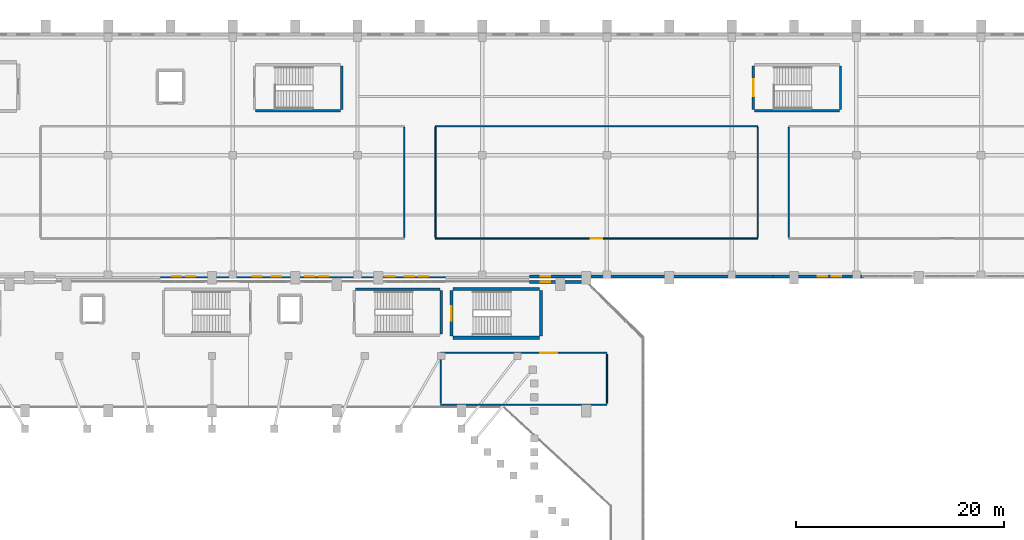
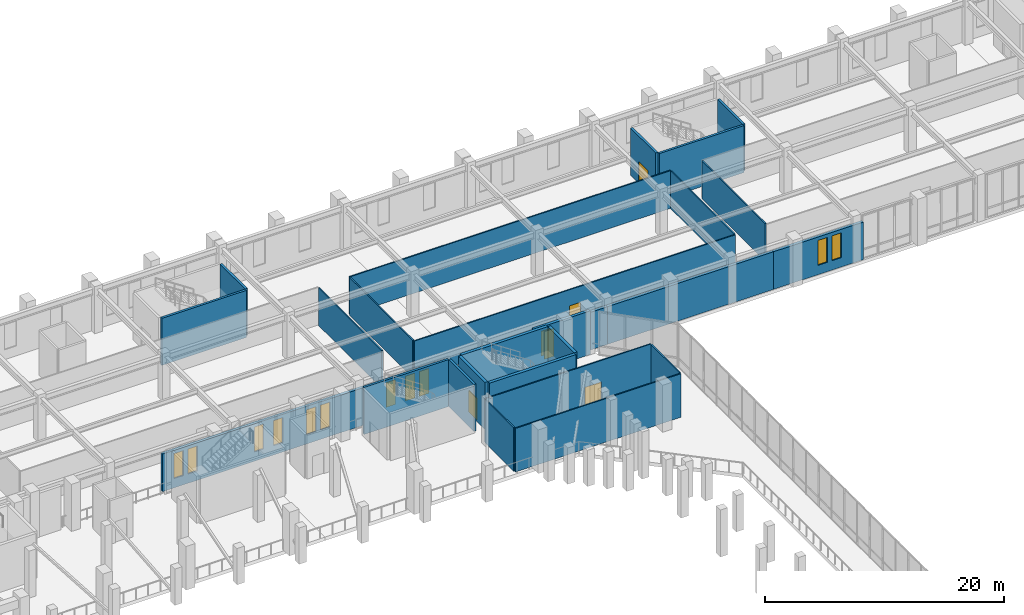
# One storey, part 97 of 126: 26 walls, 13 windows, 4 doors, 17 openings.
"""IFC4 building model written with IfcOpenShell, lengths in metres."""

from ifc_helpers import new_model, si_unit, derived_unit, direction, frame, frame_2d, origin, place, context, subcontext, project, spatial, rectangle, extrude, material, layer, layer_set, type_object, element, fill, save


model = new_model("IFC4")

# Units and contexts
model_context = context("Model", 3, precision=1e-05, world=origin(), true_north=direction((0.0, 1.0)))
body_context = subcontext(model_context, "Body", "Model", "MODEL_VIEW")
ifc_project = project(units=[si_unit("LENGTHUNIT", "METRE"), si_unit("AREAUNIT", "SQUARE_METRE"), si_unit("VOLUMEUNIT", "CUBIC_METRE"), si_unit("PLANEANGLEUNIT", "RADIAN"), si_unit("MASSUNIT", "GRAM", prefix="KILO"), derived_unit("THERMALTRANSMITTANCEUNIT", [(si_unit("MASSUNIT", "GRAM", prefix="KILO"), 1), (si_unit("TIMEUNIT", "SECOND"), -3), (si_unit("THERMODYNAMICTEMPERATUREUNIT", "KELVIN"), -1)])], contexts=[model_context])

# Site, building, storey
site_placement = place(None, origin())
site = spatial("IfcSite", under=ifc_project, at=site_placement, CompositionType="ELEMENT")
building_placement = place(site_placement, origin())
building = spatial("IfcBuilding", under=site, at=building_placement, Name="Valcora Ridge Arena", CompositionType="ELEMENT")
storey_placement = place(building_placement, frame((0.0, 0.0, 11.39990234375)))
storey = spatial("IfcBuildingStorey", under=building, at=storey_placement, Name="L02", CompositionType="ELEMENT", Elevation=11.39990234375)

# Wall, openings, windows
ifc_material_1 = material(Name="Bush-hammered Andean travertine on concrete backup C40/50", Category="masonry")
ifc_layer_1 = layer(ifc_material_1, 0.280029296875, Name="Bush-hammered Andean travertine on concrete backup C40/50")
ifc_layer_set_1 = layer_set([ifc_layer_1], Name="Bush-hammered Andean travertine on concrete backup C40/50")
wall_type_1 = type_object("IfcWallType", Name="TY-WALL-EW-TRV-28-38", PredefinedType="STANDARD", material=ifc_layer_set_1)
wall_1_placement = place(storey_placement, frame((53.050048828125, 108.550048828125, 0.0), z_axis=(0.0, 0.0, 1.0), x_axis=(1.0, 0.0, 0.0)))
wall_1 = element("IfcWall", 1, at=wall_1_placement, inside=storey, type_object=wall_type_1, Name="EW-TRV-28-38 WAL-EW-0188", PredefinedType="STANDARD", context=body_context, shape_type="SweptSolid", body=[
    extrude(rectangle(XDim=27.39990234375, YDim=0.280029296875, at=frame_2d((13.699951171875, 0.0))), origin(), (0.0, 0.0, 1.0), 3.838134765625),
])
opening_1_placement = place(wall_1_placement, frame((1.10009765625, 0.0, 0.949951171875)))
opening_1 = element("IfcOpeningElement", 2, at=opening_1_placement, cuts=wall_1, Name="Opening W-GLAN-90X254", PredefinedType="OPENING", context=body_context, shape_type="SweptSolid", body=[
    extrude(rectangle(XDim=0.89990234375, YDim=2.5400390625, at=frame_2d((0.449951171875, 1.27001953125))), frame((0.0, 0.14990234375, 0.0), z_axis=(0.0, -1.0, 0.0), x_axis=(1.0, 0.0, 0.0)), (0.0, 0.0, 1.0), 0.300048828125),
])
opening_2_placement = place(wall_1_placement, frame((2.449951171875, 0.0, 0.949951171875)))
opening_2 = element("IfcOpeningElement", 3, at=opening_2_placement, cuts=wall_1, Name="Opening W-GLAN-90X254", PredefinedType="OPENING", context=body_context, shape_type="SweptSolid", body=[
    extrude(rectangle(XDim=0.89990234375, YDim=2.5400390625, at=frame_2d((0.449951171875, 1.27001953125))), frame((0.0, 0.14990234375, 0.0), z_axis=(0.0, -1.0, 0.0), x_axis=(1.0, 0.0, 0.0)), (0.0, 0.0, 1.0), 0.300048828125),
])
opening_3_placement = place(wall_1_placement, frame((8.85009765625, 0.0, 0.949951171875)))
opening_3 = element("IfcOpeningElement", 4, at=opening_3_placement, cuts=wall_1, Name="Opening W-GLAN-90X254", PredefinedType="OPENING", context=body_context, shape_type="SweptSolid", body=[
    extrude(rectangle(XDim=0.89990234375, YDim=2.5400390625, at=frame_2d((0.449951171875, 1.27001953125))), frame((0.0, 0.14990234375, 0.0), z_axis=(0.0, -1.0, 0.0), x_axis=(1.0, 0.0, 0.0)), (0.0, 0.0, 1.0), 0.300048828125),
])
opening_4_placement = place(wall_1_placement, frame((10.699951171875, 0.0, 0.949951171875)))
opening_4 = element("IfcOpeningElement", 5, at=opening_4_placement, cuts=wall_1, Name="Opening W-GLAN-90X254", PredefinedType="OPENING", context=body_context, shape_type="SweptSolid", body=[
    extrude(rectangle(XDim=0.89990234375, YDim=2.5400390625, at=frame_2d((0.449951171875, 1.27001953125))), frame((0.0, 0.14990234375, 0.0), z_axis=(0.0, -1.0, 0.0), x_axis=(1.0, 0.0, 0.0)), (0.0, 0.0, 1.0), 0.300048828125),
])
opening_5_placement = place(wall_1_placement, frame((13.89990234375, 0.0, 0.949951171875)))
opening_5 = element("IfcOpeningElement", 6, at=opening_5_placement, cuts=wall_1, Name="Opening W-GLAN-90X254", PredefinedType="OPENING", context=body_context, shape_type="SweptSolid", body=[
    extrude(rectangle(XDim=0.89990234375, YDim=2.5400390625, at=frame_2d((0.449951171875, 1.27001953125))), frame((0.0, 0.14990234375, 0.0), z_axis=(0.0, -1.0, 0.0), x_axis=(1.0, 0.0, 0.0)), (0.0, 0.0, 1.0), 0.300048828125),
])
opening_6_placement = place(wall_1_placement, frame((15.25, 0.0, 0.949951171875)))
opening_6 = element("IfcOpeningElement", 7, at=opening_6_placement, cuts=wall_1, Name="Opening W-GLAN-90X254", PredefinedType="OPENING", context=body_context, shape_type="SweptSolid", body=[
    extrude(rectangle(XDim=0.89990234375, YDim=2.5400390625, at=frame_2d((0.449951171875, 1.27001953125))), frame((0.0, 0.14990234375, 0.0), z_axis=(0.0, -1.0, 0.0), x_axis=(1.0, 0.0, 0.0)), (0.0, 0.0, 1.0), 0.300048828125),
])
opening_7_placement = place(wall_1_placement, frame((21.64990234375, 0.0, 0.949951171875)))
opening_7 = element("IfcOpeningElement", 8, at=opening_7_placement, cuts=wall_1, Name="Opening W-GLAN-90X254", PredefinedType="OPENING", context=body_context, shape_type="SweptSolid", body=[
    extrude(rectangle(XDim=0.89990234375, YDim=2.5400390625, at=frame_2d((0.449951171875, 1.27001953125))), frame((0.0, 0.14990234375, 0.0), z_axis=(0.0, -1.0, 0.0), x_axis=(1.0, 0.0, 0.0)), (0.0, 0.0, 1.0), 0.300048828125),
])
opening_8_placement = place(wall_1_placement, frame((23.5, 0.0, 0.949951171875)))
opening_8 = element("IfcOpeningElement", 9, at=opening_8_placement, cuts=wall_1, Name="Opening W-GLAN-90X254", PredefinedType="OPENING", context=body_context, shape_type="SweptSolid", body=[
    extrude(rectangle(XDim=0.89990234375, YDim=2.5400390625, at=frame_2d((0.449951171875, 1.27001953125))), frame((0.0, 0.14990234375, 0.0), z_axis=(0.0, -1.0, 0.0), x_axis=(1.0, 0.0, 0.0)), (0.0, 0.0, 1.0), 0.300048828125),
])
opening_9_placement = place(wall_1_placement, frame((24.85009765625, 0.0, 0.949951171875)))
opening_9 = element("IfcOpeningElement", 10, at=opening_9_placement, cuts=wall_1, Name="Opening W-GLAN-90X254", PredefinedType="OPENING", context=body_context, shape_type="SweptSolid", body=[
    extrude(rectangle(XDim=0.89990234375, YDim=2.5400390625, at=frame_2d((0.449951171875, 1.27001953125))), frame((0.0, 0.14990234375, 0.0), z_axis=(0.0, -1.0, 0.0), x_axis=(1.0, 0.0, 0.0)), (0.0, 0.0, 1.0), 0.300048828125),
])
ifc_material_2 = material(Name="Low-iron solar-control double glazing SHGC 0.28", Category="glass")
window_type_1 = type_object("IfcWindowType", Name="TY-WINDOW-W-GLAN-90X254", PartitioningType="DOUBLE_PANEL_VERTICAL", PredefinedType="WINDOW", material=ifc_material_2)
window_1_placement = place(opening_1_placement, origin())
window_1 = element("IfcWindow", 11, at=window_1_placement, inside=storey, type_object=window_type_1, Name="W-GLAN-90X254 WIN-EX-0566", OverallHeight=2.5400390625, OverallWidth=0.89990234375, PartitioningType="DOUBLE_PANEL_VERTICAL", PredefinedType="WINDOW", context=body_context, shape_type="SweptSolid", body=[
    extrude(rectangle(XDim=0.89990234375, YDim=2.5400390625, at=frame_2d((0.449951171875, 1.27001953125))), frame((0.0, 0.030029296875, 0.0), z_axis=(0.0, -1.0, 0.0), x_axis=(1.0, 0.0, 0.0)), (0.0, 0.0, 1.0), 0.06005859375),
])
fill(opening_1, window_1)
window_2_placement = place(opening_2_placement, origin())
window_2 = element("IfcWindow", 12, at=window_2_placement, inside=storey, type_object=window_type_1, Name="W-GLAN-90X254 WIN-EX-0567", OverallHeight=2.5400390625, OverallWidth=0.89990234375, PartitioningType="DOUBLE_PANEL_VERTICAL", PredefinedType="WINDOW", context=body_context, shape_type="SweptSolid", body=[
    extrude(rectangle(XDim=0.89990234375, YDim=2.5400390625, at=frame_2d((0.449951171875, 1.27001953125))), frame((0.0, 0.030029296875, 0.0), z_axis=(0.0, -1.0, 0.0), x_axis=(1.0, 0.0, 0.0)), (0.0, 0.0, 1.0), 0.06005859375),
])
fill(opening_2, window_2)
window_3_placement = place(opening_3_placement, origin())
window_3 = element("IfcWindow", 13, at=window_3_placement, inside=storey, type_object=window_type_1, Name="W-GLAN-90X254 WIN-EX-0568", OverallHeight=2.5400390625, OverallWidth=0.89990234375, PartitioningType="DOUBLE_PANEL_VERTICAL", PredefinedType="WINDOW", context=body_context, shape_type="SweptSolid", body=[
    extrude(rectangle(XDim=0.89990234375, YDim=2.5400390625, at=frame_2d((0.449951171875, 1.27001953125))), frame((0.0, 0.030029296875, 0.0), z_axis=(0.0, -1.0, 0.0), x_axis=(1.0, 0.0, 0.0)), (0.0, 0.0, 1.0), 0.06005859375),
])
fill(opening_3, window_3)
window_4_placement = place(opening_4_placement, origin())
window_4 = element("IfcWindow", 14, at=window_4_placement, inside=storey, type_object=window_type_1, Name="W-GLAN-90X254 WIN-EX-0569", OverallHeight=2.5400390625, OverallWidth=0.89990234375, PartitioningType="DOUBLE_PANEL_VERTICAL", PredefinedType="WINDOW", context=body_context, shape_type="SweptSolid", body=[
    extrude(rectangle(XDim=0.89990234375, YDim=2.5400390625, at=frame_2d((0.449951171875, 1.27001953125))), frame((0.0, 0.030029296875, 0.0), z_axis=(0.0, -1.0, 0.0), x_axis=(1.0, 0.0, 0.0)), (0.0, 0.0, 1.0), 0.06005859375),
])
fill(opening_4, window_4)
window_5_placement = place(opening_5_placement, origin())
window_5 = element("IfcWindow", 15, at=window_5_placement, inside=storey, type_object=window_type_1, Name="W-GLAN-90X254 WIN-EX-0570", OverallHeight=2.5400390625, OverallWidth=0.89990234375, PartitioningType="DOUBLE_PANEL_VERTICAL", PredefinedType="WINDOW", context=body_context, shape_type="SweptSolid", body=[
    extrude(rectangle(XDim=0.89990234375, YDim=2.5400390625, at=frame_2d((0.449951171875, 1.27001953125))), frame((0.0, 0.030029296875, 0.0), z_axis=(0.0, -1.0, 0.0), x_axis=(1.0, 0.0, 0.0)), (0.0, 0.0, 1.0), 0.06005859375),
])
fill(opening_5, window_5)
window_6_placement = place(opening_6_placement, origin())
window_6 = element("IfcWindow", 16, at=window_6_placement, inside=storey, type_object=window_type_1, Name="W-GLAN-90X254 WIN-EX-0571", OverallHeight=2.5400390625, OverallWidth=0.89990234375, PartitioningType="DOUBLE_PANEL_VERTICAL", PredefinedType="WINDOW", context=body_context, shape_type="SweptSolid", body=[
    extrude(rectangle(XDim=0.89990234375, YDim=2.5400390625, at=frame_2d((0.449951171875, 1.27001953125))), frame((0.0, 0.030029296875, 0.0), z_axis=(0.0, -1.0, 0.0), x_axis=(1.0, 0.0, 0.0)), (0.0, 0.0, 1.0), 0.06005859375),
])
fill(opening_6, window_6)
window_7_placement = place(opening_7_placement, origin())
window_7 = element("IfcWindow", 17, at=window_7_placement, inside=storey, type_object=window_type_1, Name="W-GLAN-90X254 WIN-EX-0572", OverallHeight=2.5400390625, OverallWidth=0.89990234375, PartitioningType="DOUBLE_PANEL_VERTICAL", PredefinedType="WINDOW", context=body_context, shape_type="SweptSolid", body=[
    extrude(rectangle(XDim=0.89990234375, YDim=2.5400390625, at=frame_2d((0.449951171875, 1.27001953125))), frame((0.0, 0.030029296875, 0.0), z_axis=(0.0, -1.0, 0.0), x_axis=(1.0, 0.0, 0.0)), (0.0, 0.0, 1.0), 0.06005859375),
])
fill(opening_7, window_7)
window_8_placement = place(opening_8_placement, origin())
window_8 = element("IfcWindow", 18, at=window_8_placement, inside=storey, type_object=window_type_1, Name="W-GLAN-90X254 WIN-EX-0573", OverallHeight=2.5400390625, OverallWidth=0.89990234375, PartitioningType="DOUBLE_PANEL_VERTICAL", PredefinedType="WINDOW", context=body_context, shape_type="SweptSolid", body=[
    extrude(rectangle(XDim=0.89990234375, YDim=2.5400390625, at=frame_2d((0.449951171875, 1.27001953125))), frame((0.0, 0.030029296875, 0.0), z_axis=(0.0, -1.0, 0.0), x_axis=(1.0, 0.0, 0.0)), (0.0, 0.0, 1.0), 0.06005859375),
])
fill(opening_8, window_8)
window_9_placement = place(opening_9_placement, origin())
window_9 = element("IfcWindow", 19, at=window_9_placement, inside=storey, type_object=window_type_1, Name="W-GLAN-90X254 WIN-EX-0574", OverallHeight=2.5400390625, OverallWidth=0.89990234375, PartitioningType="DOUBLE_PANEL_VERTICAL", PredefinedType="WINDOW", context=body_context, shape_type="SweptSolid", body=[
    extrude(rectangle(XDim=0.89990234375, YDim=2.5400390625, at=frame_2d((0.449951171875, 1.27001953125))), frame((0.0, 0.030029296875, 0.0), z_axis=(0.0, -1.0, 0.0), x_axis=(1.0, 0.0, 0.0)), (0.0, 0.0, 1.0), 0.06005859375),
])
fill(opening_9, window_9)

# Wall, opening, window
wall_2_placement = place(storey_placement, frame((88.550048828125, 108.550048828125, 0.0), z_axis=(0.0, 0.0, 1.0), x_axis=(1.0, 0.0, 0.0)))
wall_2 = element("IfcWall", 20, at=wall_2_placement, inside=storey, type_object=wall_type_1, Name="EW-TRV-28-38 WAL-EW-0189", PredefinedType="STANDARD", context=body_context, shape_type="SweptSolid", body=[
    extrude(rectangle(XDim=7.449951171875, YDim=0.280029296875, at=frame_2d((3.72509765625, 0.0))), origin(), (0.0, 0.0, 1.0), 3.838134765625),
])
opening_10_placement = place(wall_2_placement, frame((1.10009765625, 0.0, 0.949951171875)))
opening_10 = element("IfcOpeningElement", 21, at=opening_10_placement, cuts=wall_2, Name="Opening W-GLAN-90X254", PredefinedType="OPENING", context=body_context, shape_type="SweptSolid", body=[
    extrude(rectangle(XDim=0.89990234375, YDim=2.5400390625, at=frame_2d((0.449951171875, 1.27001953125))), frame((0.0, 0.14990234375, 0.0), z_axis=(0.0, -1.0, 0.0), x_axis=(1.0, 0.0, 0.0)), (0.0, 0.0, 1.0), 0.300048828125),
])
window_10_placement = place(opening_10_placement, origin())
window_10 = element("IfcWindow", 22, at=window_10_placement, inside=storey, type_object=window_type_1, Name="W-GLAN-90X254 WIN-EX-0575", OverallHeight=2.5400390625, OverallWidth=0.89990234375, PartitioningType="DOUBLE_PANEL_VERTICAL", PredefinedType="WINDOW", context=body_context, shape_type="SweptSolid", body=[
    extrude(rectangle(XDim=0.89990234375, YDim=2.5400390625, at=frame_2d((0.449951171875, 1.27001953125))), frame((0.0, 0.030029296875, 0.0), z_axis=(0.0, -1.0, 0.0), x_axis=(1.0, 0.0, 0.0)), (0.0, 0.0, 1.0), 0.06005859375),
])
fill(opening_10, window_10)

# Wall
wall_3_placement = place(storey_placement, frame((96.0, 108.550048828125, 0.0), z_axis=(0.0, 0.0, 1.0), x_axis=(1.0, 0.0, 0.0)))
element("IfcWall", 23, at=wall_3_placement, inside=storey, type_object=wall_type_1, Name="EW-TRV-28-38 WAL-EW-0190", PredefinedType="STANDARD", context=body_context, shape_type="SweptSolid", body=[
    extrude(rectangle(XDim=16.0, YDim=0.280029296875, at=frame_2d((8.0, 0.0))), origin(), (0.0, 0.0, 1.0), 3.838134765625),
])

# Wall, openings, windows
wall_4_placement = place(storey_placement, frame((112.0, 108.550048828125, 0.0), z_axis=(0.0, 0.0, 1.0), x_axis=(1.0, 0.0, 0.0)))
wall_4 = element("IfcWall", 24, at=wall_4_placement, inside=storey, type_object=wall_type_1, Name="EW-TRV-28-38 WAL-EW-0191", PredefinedType="STANDARD", context=body_context, shape_type="SweptSolid", body=[
    extrude(rectangle(XDim=8.679931640625, YDim=0.280029296875, at=frame_2d((4.33984375, 0.0))), origin(), (0.0, 0.0, 1.0), 3.838134765625),
])
opening_11_placement = place(wall_4_placement, frame((4.300048828125, 0.0, 0.949951171875)))
opening_11 = element("IfcOpeningElement", 25, at=opening_11_placement, cuts=wall_4, Name="Opening W-GLAN-90X254", PredefinedType="OPENING", context=body_context, shape_type="SweptSolid", body=[
    extrude(rectangle(XDim=0.89990234375, YDim=2.5400390625, at=frame_2d((0.449951171875, 1.27001953125))), frame((0.0, 0.14990234375, 0.0), z_axis=(0.0, -1.0, 0.0), x_axis=(1.0, 0.0, 0.0)), (0.0, 0.0, 1.0), 0.300048828125),
])
opening_12_placement = place(wall_4_placement, frame((5.64990234375, 0.0, 0.949951171875)))
opening_12 = element("IfcOpeningElement", 26, at=opening_12_placement, cuts=wall_4, Name="Opening W-GLAN-90X254", PredefinedType="OPENING", context=body_context, shape_type="SweptSolid", body=[
    extrude(rectangle(XDim=0.89990234375, YDim=2.5400390625, at=frame_2d((0.449951171875, 1.27001953125))), frame((0.0, 0.14990234375, 0.0), z_axis=(0.0, -1.0, 0.0), x_axis=(1.0, 0.0, 0.0)), (0.0, 0.0, 1.0), 0.300048828125),
])
window_11_placement = place(opening_11_placement, origin())
window_11 = element("IfcWindow", 27, at=window_11_placement, inside=storey, type_object=window_type_1, Name="W-GLAN-90X254 WIN-EX-0576", OverallHeight=2.5400390625, OverallWidth=0.89990234375, PartitioningType="DOUBLE_PANEL_VERTICAL", PredefinedType="WINDOW", context=body_context, shape_type="SweptSolid", body=[
    extrude(rectangle(XDim=0.89990234375, YDim=2.5400390625, at=frame_2d((0.449951171875, 1.27001953125))), frame((0.0, 0.030029296875, 0.0), z_axis=(0.0, -1.0, 0.0), x_axis=(1.0, 0.0, 0.0)), (0.0, 0.0, 1.0), 0.06005859375),
])
fill(opening_11, window_11)
window_12_placement = place(opening_12_placement, origin())
window_12 = element("IfcWindow", 28, at=window_12_placement, inside=storey, type_object=window_type_1, Name="W-GLAN-90X254 WIN-EX-0577", OverallHeight=2.5400390625, OverallWidth=0.89990234375, PartitioningType="DOUBLE_PANEL_VERTICAL", PredefinedType="WINDOW", context=body_context, shape_type="SweptSolid", body=[
    extrude(rectangle(XDim=0.89990234375, YDim=2.5400390625, at=frame_2d((0.449951171875, 1.27001953125))), frame((0.0, 0.030029296875, 0.0), z_axis=(0.0, -1.0, 0.0), x_axis=(1.0, 0.0, 0.0)), (0.0, 0.0, 1.0), 0.06005859375),
])
fill(opening_12, window_12)

# Wall, opening, window
ifc_layer_2 = layer(ifc_material_1, 0.280029296875, Name="Bush-hammered Andean travertine on concrete backup C40/50")
ifc_layer_set_2 = layer_set([ifc_layer_2], Name="Bush-hammered Andean travertine on concrete backup C40/50")
wall_type_2 = type_object("IfcWallType", Name="TY-WALL-EW-TRV-28-44", PredefinedType="STANDARD", material=ifc_layer_set_2)
wall_5_placement = place(storey_placement, frame((88.550048828125, 108.0, 0.0), z_axis=(0.0, 0.0, 1.0), x_axis=(1.0, 0.0, 0.0)))
wall_5 = element("IfcWall", 29, at=wall_5_placement, inside=storey, type_object=wall_type_2, Name="EW-TRV-28-44 WAL-EW-0052", PredefinedType="STANDARD", context=body_context, shape_type="SweptSolid", body=[
    extrude(rectangle(XDim=5.449951171875, YDim=0.280029296875, at=frame_2d((2.72509765625, 0.0))), origin(), (0.0, 0.0, 1.0), 4.4501953125),
])
opening_13_placement = place(wall_5_placement, frame((1.10009765625, 0.0, 0.949951171875)))
opening_13 = element("IfcOpeningElement", 30, at=opening_13_placement, cuts=wall_5, Name="Opening W-GLAN-90X285", PredefinedType="OPENING", context=body_context, shape_type="SweptSolid", body=[
    extrude(rectangle(XDim=0.89990234375, YDim=2.85009765625, at=frame_2d((0.449951171875, 1.425048828125))), frame((0.0, 0.14990234375, 0.0), z_axis=(0.0, -1.0, 0.0), x_axis=(1.0, 0.0, 0.0)), (0.0, 0.0, 1.0), 0.300048828125),
])
window_type_2 = type_object("IfcWindowType", Name="TY-WINDOW-W-GLAN-90X285", PartitioningType="DOUBLE_PANEL_VERTICAL", PredefinedType="WINDOW", material=ifc_material_2)
window_13_placement = place(opening_13_placement, origin())
window_13 = element("IfcWindow", 31, at=window_13_placement, inside=storey, type_object=window_type_2, Name="W-GLAN-90X285 WIN-EX-0126", OverallHeight=2.85009765625, OverallWidth=0.89990234375, PartitioningType="DOUBLE_PANEL_VERTICAL", PredefinedType="WINDOW", context=body_context, shape_type="SweptSolid", body=[
    extrude(rectangle(XDim=0.89990234375, YDim=2.85009765625, at=frame_2d((0.449951171875, 1.425048828125))), frame((0.0, 0.030029296875, 0.0), z_axis=(0.0, -1.0, 0.0), x_axis=(1.0, 0.0, 0.0)), (0.0, 0.0, 1.0), 0.06005859375),
])
fill(opening_13, window_13)

# Wall
ifc_material_3 = material(Name="Acoustic metal-stud gypsum partition 120 mm")
ifc_layer_3 = layer(ifc_material_3, 0.1201171875, Name="Acoustic metal-stud gypsum partition 120 mm")
ifc_layer_set_3 = layer_set([ifc_layer_3], Name="Acoustic metal-stud gypsum partition 120 mm")
wall_type_3 = type_object("IfcWallType", Name="TY-WALL-IW-PART-120", PredefinedType="PARTITIONING", material=ifc_layer_set_3)
wall_6_placement = place(storey_placement, frame((80.0, 96.199951171875, 0.0), z_axis=(0.0, 0.0, 1.0), x_axis=(1.0, 0.0, 0.0)))
element("IfcWall", 32, at=wall_6_placement, inside=storey, type_object=wall_type_3, Name="IW-PART-120 WAL-IN-0353", PredefinedType="PARTITIONING", context=body_context, shape_type="SweptSolid", body=[
    extrude(rectangle(XDim=16.0, YDim=0.1201171875, at=frame_2d((8.0, 0.0))), origin(), (0.0, 0.0, 1.0), 4.4501953125),
])

# Wall, opening, door
wall_7_placement = place(storey_placement, frame((80.0, 101.199951171875, 0.0), z_axis=(0.0, 0.0, 1.0), x_axis=(1.0, 0.0, 0.0)))
wall_7 = element("IfcWall", 33, at=wall_7_placement, inside=storey, type_object=wall_type_3, Name="IW-PART-120 WAL-IN-0354", PredefinedType="PARTITIONING", context=body_context, shape_type="SweptSolid", body=[
    extrude(rectangle(XDim=16.0, YDim=0.1201171875, at=frame_2d((8.0, 0.0))), origin(), (0.0, 0.0, 1.0), 4.4501953125),
])
opening_14_placement = place(wall_7_placement, frame((9.60009765625, 0.0, 0.0)))
opening_14 = element("IfcOpeningElement", 34, at=opening_14_placement, cuts=wall_7, Name="Opening D-PUB-1600", PredefinedType="OPENING", context=body_context, shape_type="SweptSolid", body=[
    extrude(rectangle(XDim=1.60009765625, YDim=2.25, at=frame_2d((0.800048828125, 1.125))), frame((0.0, 0.070068359375, 0.0), z_axis=(0.0, -1.0, 0.0), x_axis=(1.0, 0.0, 0.0)), (0.0, 0.0, 1.0), 0.14013671875),
])
ifc_material_4 = material(Name="Solid-core acoustic timber veneer door leaf", Category="wood")
door_type_1 = type_object("IfcDoorType", Name="TY-DOOR-D-PUB-1600", OperationType="NOTDEFINED", PredefinedType="DOOR", material=ifc_material_4)
door_1_placement = place(opening_14_placement, origin())
door_1 = element("IfcDoor", 35, at=door_1_placement, inside=storey, type_object=door_type_1, Name="D-PUB-1600 DOR-IN-0093", OperationType="DOUBLE_DOOR_SINGLE_SWING", OverallHeight=2.25, OverallWidth=1.60009765625, PredefinedType="DOOR", context=body_context, shape_type="SweptSolid", body=[
    extrude(rectangle(XDim=1.60009765625, YDim=2.25, at=frame_2d((0.800048828125, 1.125))), frame((0.0, 0.02490234375, 0.0), z_axis=(0.0, -1.0, 0.0), x_axis=(1.0, 0.0, 0.0)), (0.0, 0.0, 1.0), 0.050048828125),
])
fill(opening_14, door_1)

# Walls
for number, where, z_axis, x_axis, name in (
    (36, (80.0, 96.320068359375, 0.0), (0.0, 0.0, 1.0), (0.0, 1.0, 0.0), "IW-PART-120 WAL-IN-0355"),
    (37, (96.0, 96.320068359375, 0.0), (0.0, 0.0, 1.0), (0.0, 1.0, 0.0), "IW-PART-120 WAL-IN-0356"),
):
    element("IfcWall", number, at=place(storey_placement, frame(where, z_axis=z_axis, x_axis=x_axis)), inside=storey, type_object=wall_type_3, Name=name, PredefinedType="PARTITIONING", context=body_context, shape_type="SweptSolid", body=[
        extrude(rectangle(XDim=4.760009765625, YDim=0.1201171875, at=frame_2d((2.3798828125, 0.0))), origin(), (0.0, 0.0, 1.0), 4.4501953125),
    ])
wall_8_placement = place(storey_placement, frame((76.5, 112.320068359375, 0.0), z_axis=(0.0, 0.0, 1.0), x_axis=(0.0, 1.0, 0.0)))
element("IfcWall", 38, at=wall_8_placement, inside=storey, type_object=wall_type_3, Name="IW-PART-120 WAL-IN-0390", PredefinedType="PARTITIONING", context=body_context, shape_type="SweptSolid", body=[
    extrude(rectangle(XDim=10.559814453125, YDim=0.1201171875, at=frame_2d((5.27978515625, 0.0))), origin(), (0.0, 0.0, 1.0), 3.838134765625),
])

# Wall, opening, door
wall_9_placement = place(storey_placement, frame((79.5, 112.199951171875, 0.0), z_axis=(0.0, 0.0, 1.0), x_axis=(1.0, 0.0, 0.0)))
wall_9 = element("IfcWall", 39, at=wall_9_placement, inside=storey, type_object=wall_type_3, Name="IW-PART-120 WAL-IN-0391", PredefinedType="PARTITIONING", context=body_context, shape_type="SweptSolid", body=[
    extrude(rectangle(XDim=31.0, YDim=0.1201171875, at=frame_2d((15.5, 0.0))), origin(), (0.0, 0.0, 1.0), 3.838134765625),
])
opening_15_placement = place(wall_9_placement, frame((14.949951171875, 0.0, 0.0)))
opening_15 = element("IfcOpeningElement", 40, at=opening_15_placement, cuts=wall_9, Name="Opening D-INT-1100", PredefinedType="OPENING", context=body_context, shape_type="SweptSolid", body=[
    extrude(rectangle(XDim=1.10009765625, YDim=2.199951171875, at=frame_2d((0.550048828125, 1.10009765625))), frame((0.0, 0.070068359375, 0.0), z_axis=(0.0, -1.0, 0.0), x_axis=(1.0, 0.0, 0.0)), (0.0, 0.0, 1.0), 0.14013671875),
])
door_type_2 = type_object("IfcDoorType", Name="TY-DOOR-D-INT-1100", OperationType="NOTDEFINED", PredefinedType="DOOR", material=ifc_material_4)
door_2_placement = place(opening_15_placement, origin())
door_2 = element("IfcDoor", 41, at=door_2_placement, inside=storey, type_object=door_type_2, Name="D-INT-1100 DOR-IN-0103", OperationType="SINGLE_SWING_RIGHT", OverallHeight=2.199951171875, OverallWidth=1.10009765625, PredefinedType="DOOR", context=body_context, shape_type="SweptSolid", body=[
    extrude(rectangle(XDim=1.10009765625, YDim=2.199951171875, at=frame_2d((0.550048828125, 1.10009765625))), frame((0.0, 0.02490234375, 0.0), z_axis=(0.0, -1.0, 0.0), x_axis=(1.0, 0.0, 0.0)), (0.0, 0.0, 1.0), 0.050048828125),
])
fill(opening_15, door_2)

# Walls
wall_10_placement = place(storey_placement, frame((79.5, 123.0, 0.0), z_axis=(0.0, 0.0, 1.0), x_axis=(1.0, 0.0, 0.0)))
element("IfcWall", 42, at=wall_10_placement, inside=storey, type_object=wall_type_3, Name="IW-PART-120 WAL-IN-0392", PredefinedType="PARTITIONING", context=body_context, shape_type="SweptSolid", body=[
    extrude(rectangle(XDim=31.0, YDim=0.1201171875, at=frame_2d((15.5, 0.0))), origin(), (0.0, 0.0, 1.0), 3.838134765625),
])
for number, where, z_axis, x_axis, name in (
    (43, (79.5, 112.320068359375, 0.0), (0.0, 0.0, 1.0), (0.0, 1.0, 0.0), "IW-PART-120 WAL-IN-0393"),
    (44, (110.5, 112.320068359375, 0.0), (0.0, 0.0, 1.0), (0.0, 1.0, 0.0), "IW-PART-120 WAL-IN-0394"),
    (45, (113.5, 112.320068359375, 0.0), (0.0, 0.0, 1.0), (0.0, 1.0, 0.0), "IW-PART-120 WAL-IN-0397"),
):
    element("IfcWall", number, at=place(storey_placement, frame(where, z_axis=z_axis, x_axis=x_axis)), inside=storey, type_object=wall_type_3, Name=name, PredefinedType="PARTITIONING", context=body_context, shape_type="SweptSolid", body=[
        extrude(rectangle(XDim=10.559814453125, YDim=0.1201171875, at=frame_2d((5.27978515625, 0.0))), origin(), (0.0, 0.0, 1.0), 3.838134765625),
    ])
ifc_material_5 = material(Name="Concrete C45/55", Category="concrete")
ifc_layer_4 = layer(ifc_material_5, 0.300048828125, Name="Concrete C45/55")
ifc_layer_set_4 = layer_set([ifc_layer_4], Name="Concrete C45/55")
wall_type_4 = type_object("IfcWallType", Name="TY-WALL-SW-C300-L", PredefinedType="SHEAR", material=ifc_layer_set_4)
for number, where, z_axis, x_axis, name in (
    (46, (81.199951171875, 102.64990234375, 0.0), (0.0, 0.0, 1.0), (1.0, 0.0, 0.0), "SW-C300-L WAL-CR-0093"),
    (47, (81.199951171875, 107.35009765625, 0.0), (0.0, 0.0, 1.0), (1.0, 0.0, 0.0), "SW-C300-L WAL-CR-0094"),
):
    element("IfcWall", number, at=place(storey_placement, frame(where, z_axis=z_axis, x_axis=x_axis)), inside=storey, type_object=wall_type_4, Name=name, PredefinedType="SHEAR", context=body_context, shape_type="SweptSolid", body=[
        extrude(rectangle(XDim=8.320068359375, YDim=0.300048828125, at=frame_2d((4.16015625, 0.0))), origin(), (0.0, 0.0, 1.0), 4.800048828125),
    ])

# Wall, opening, door
ifc_layer_5 = layer(ifc_material_5, 0.300048828125, Name="Concrete C45/55")
ifc_layer_set_5 = layer_set([ifc_layer_5], Name="Concrete C45/55")
wall_type_5 = type_object("IfcWallType", Name="TY-WALL-SW-C300-S", PredefinedType="SHEAR", material=ifc_layer_set_5)
wall_11_placement = place(storey_placement, frame((81.050048828125, 102.800048828125, 0.0), z_axis=(0.0, 0.0, 1.0), x_axis=(0.0, 1.0, 0.0)))
wall_11 = element("IfcWall", 48, at=wall_11_placement, inside=storey, type_object=wall_type_5, Name="SW-C300-S WAL-CR-0095", PredefinedType="SHEAR", context=body_context, shape_type="SweptSolid", body=[
    extrude(rectangle(XDim=4.39990234375, YDim=0.300048828125, at=frame_2d((2.199951171875, 0.0))), origin(), (0.0, 0.0, 1.0), 4.800048828125),
])
opening_16_placement = place(wall_11_placement, frame((1.5, 0.0, 0.0)))
opening_16 = element("IfcOpeningElement", 49, at=opening_16_placement, cuts=wall_11, Name="Opening FD-01", PredefinedType="OPENING", context=body_context, shape_type="SweptSolid", body=[
    extrude(rectangle(XDim=1.39990234375, YDim=2.199951171875, at=frame_2d((0.699951171875, 1.10009765625))), frame((0.0, 0.159912109375, 0.0), z_axis=(0.0, -1.0, 0.0), x_axis=(1.0, 0.0, 0.0)), (0.0, 0.0, 1.0), 0.320068359375),
])
ifc_material_6 = material(Name="Insulated fire-rated steel door leaf", Category="steel")
door_type_3 = type_object("IfcDoorType", Name="TY-DOOR-FD-01", OperationType="NOTDEFINED", PredefinedType="DOOR", material=ifc_material_6)
door_3_placement = place(opening_16_placement, origin())
door_3 = element("IfcDoor", 50, at=door_3_placement, inside=storey, type_object=door_type_3, Name="FD-01 DOR-ST-0024", OperationType="DOUBLE_DOOR_SINGLE_SWING", OverallHeight=2.199951171875, OverallWidth=1.39990234375, PredefinedType="DOOR", context=body_context, shape_type="SweptSolid", body=[
    extrude(rectangle(XDim=1.39990234375, YDim=2.199951171875, at=frame_2d((0.699951171875, 1.10009765625))), frame((0.0, 0.02490234375, 0.0), z_axis=(0.0, -1.0, 0.0), x_axis=(1.0, 0.0, 0.0)), (0.0, 0.0, 1.0), 0.050048828125),
])
fill(opening_16, door_3)

# Walls
wall_12_placement = place(storey_placement, frame((89.669921875, 102.800048828125, 0.0), z_axis=(0.0, 0.0, 1.0), x_axis=(0.0, 1.0, 0.0)))
element("IfcWall", 51, at=wall_12_placement, inside=storey, type_object=wall_type_5, Name="SW-C300-S WAL-CR-0096", PredefinedType="SHEAR", context=body_context, shape_type="SweptSolid", body=[
    extrude(rectangle(XDim=4.39990234375, YDim=0.300048828125, at=frame_2d((2.199951171875, 0.0))), origin(), (0.0, 0.0, 1.0), 4.800048828125),
])
ifc_material_7 = material(Name="Fire-resisting reinforced concrete enclosure C40/50 200 mm", Category="concrete")
ifc_layer_6 = layer(ifc_material_7, 0.219970703125, Name="Fire-resisting reinforced concrete enclosure C40/50 200 mm")
ifc_layer_set_6 = layer_set([ifc_layer_6], Name="Fire-resisting reinforced concrete enclosure C40/50 200 mm")
wall_type_6 = type_object("IfcWallType", Name="TY-WALL-SW-ES-220", PredefinedType="SHEAR", material=ifc_layer_set_6)
wall_13_placement = place(storey_placement, frame((71.800048828125, 107.31005859375, 0.0), z_axis=(0.0, 0.0, 1.0), x_axis=(1.0, 0.0, 0.0)))
element("IfcWall", 52, at=wall_13_placement, inside=storey, type_object=wall_type_6, Name="SW-ES-220 WAL-ES-0086", PredefinedType="SHEAR", context=body_context, shape_type="SweptSolid", body=[
    extrude(rectangle(XDim=8.159912109375, YDim=0.219970703125, at=frame_2d((4.080078125, 0.0))), origin(), (0.0, 0.0, 1.0), 4.800048828125),
])
wall_14_placement = place(storey_placement, frame((80.070068359375, 103.0, 0.0), z_axis=(0.0, 0.0, 1.0), x_axis=(0.0, 1.0, 0.0)))
element("IfcWall", 53, at=wall_14_placement, inside=storey, type_object=wall_type_6, Name="SW-ES-220 WAL-ES-0088", PredefinedType="SHEAR", context=body_context, shape_type="SweptSolid", body=[
    extrude(rectangle(XDim=4.199951171875, YDim=0.219970703125, at=frame_2d((2.10009765625, 0.0))), origin(), (0.0, 0.0, 1.0), 4.800048828125),
])
wall_15_placement = place(storey_placement, frame((62.199951171875, 124.489990234375, 0.0), z_axis=(0.0, 0.0, 1.0), x_axis=(1.0, 0.0, 0.0)))
element("IfcWall", 54, at=wall_15_placement, inside=storey, type_object=wall_type_6, Name="SW-ES-220 WAL-ES-0177", PredefinedType="SHEAR", context=body_context, shape_type="SweptSolid", body=[
    extrude(rectangle(XDim=8.16015625, YDim=0.219970703125, at=frame_2d((4.080078125, 0.0))), origin(), (0.0, 0.0, 1.0), 4.800048828125),
])
wall_16_placement = place(storey_placement, frame((70.469970703125, 124.60009765625, 0.0), z_axis=(0.0, 0.0, 1.0), x_axis=(0.0, 1.0, 0.0)))
element("IfcWall", 55, at=wall_16_placement, inside=storey, type_object=wall_type_6, Name="SW-ES-220 WAL-ES-0180", PredefinedType="SHEAR", context=body_context, shape_type="SweptSolid", body=[
    extrude(rectangle(XDim=4.199951171875, YDim=0.219970703125, at=frame_2d((2.10009765625, 0.0))), origin(), (0.0, 0.0, 1.0), 4.800048828125),
])
wall_17_placement = place(storey_placement, frame((110.199951171875, 124.489990234375, 0.0), z_axis=(0.0, 0.0, 1.0), x_axis=(1.0, 0.0, 0.0)))
element("IfcWall", 56, at=wall_17_placement, inside=storey, type_object=wall_type_6, Name="SW-ES-220 WAL-ES-0197", PredefinedType="SHEAR", context=body_context, shape_type="SweptSolid", body=[
    extrude(rectangle(XDim=8.16015625, YDim=0.219970703125, at=frame_2d((4.080078125, 0.0))), origin(), (0.0, 0.0, 1.0), 4.800048828125),
])

# Wall, opening, door
wall_18_placement = place(storey_placement, frame((110.090087890625, 124.60009765625, 0.0), z_axis=(0.0, 0.0, 1.0), x_axis=(0.0, 1.0, 0.0)))
wall_18 = element("IfcWall", 57, at=wall_18_placement, inside=storey, type_object=wall_type_6, Name="SW-ES-220 WAL-ES-0199", PredefinedType="SHEAR", context=body_context, shape_type="SweptSolid", body=[
    extrude(rectangle(XDim=4.199951171875, YDim=0.219970703125, at=frame_2d((2.10009765625, 0.0))), origin(), (0.0, 0.0, 1.0), 4.800048828125),
])
opening_17_placement = place(wall_18_placement, frame((1.300048828125, 0.0, 0.0)))
opening_17 = element("IfcOpeningElement", 58, at=opening_17_placement, cuts=wall_18, Name="Opening FD-02", PredefinedType="OPENING", context=body_context, shape_type="SweptSolid", body=[
    extrude(rectangle(XDim=1.60009765625, YDim=2.199951171875, at=frame_2d((0.800048828125, 1.10009765625))), frame((0.0, 0.119873046875, 0.0), z_axis=(0.0, -1.0, 0.0), x_axis=(1.0, 0.0, 0.0)), (0.0, 0.0, 1.0), 0.239990234375),
])
door_type_4 = type_object("IfcDoorType", Name="TY-DOOR-FD-02", OperationType="NOTDEFINED", PredefinedType="DOOR", material=ifc_material_6)
door_4_placement = place(opening_17_placement, origin())
door_4 = element("IfcDoor", 59, at=door_4_placement, inside=storey, type_object=door_type_4, Name="FD-02 DOR-ES-0044", OperationType="DOUBLE_DOOR_SINGLE_SWING", OverallHeight=2.199951171875, OverallWidth=1.60009765625, PredefinedType="DOOR", context=body_context, shape_type="SweptSolid", body=[
    extrude(rectangle(XDim=1.60009765625, YDim=2.199951171875, at=frame_2d((0.800048828125, 1.10009765625))), frame((0.0, 0.02490234375, 0.0), z_axis=(0.0, -1.0, 0.0), x_axis=(1.0, 0.0, 0.0)), (0.0, 0.0, 1.0), 0.050048828125),
])
fill(opening_17, door_4)

# Wall
wall_19_placement = place(storey_placement, frame((118.469970703125, 124.60009765625, 0.0), z_axis=(0.0, 0.0, 1.0), x_axis=(0.0, 1.0, 0.0)))
element("IfcWall", 60, at=wall_19_placement, inside=storey, type_object=wall_type_6, Name="SW-ES-220 WAL-ES-0200", PredefinedType="SHEAR", context=body_context, shape_type="SweptSolid", body=[
    extrude(rectangle(XDim=4.199951171875, YDim=0.219970703125, at=frame_2d((2.10009765625, 0.0))), origin(), (0.0, 0.0, 1.0), 4.800048828125),
])

save(model, "model.ifc")
